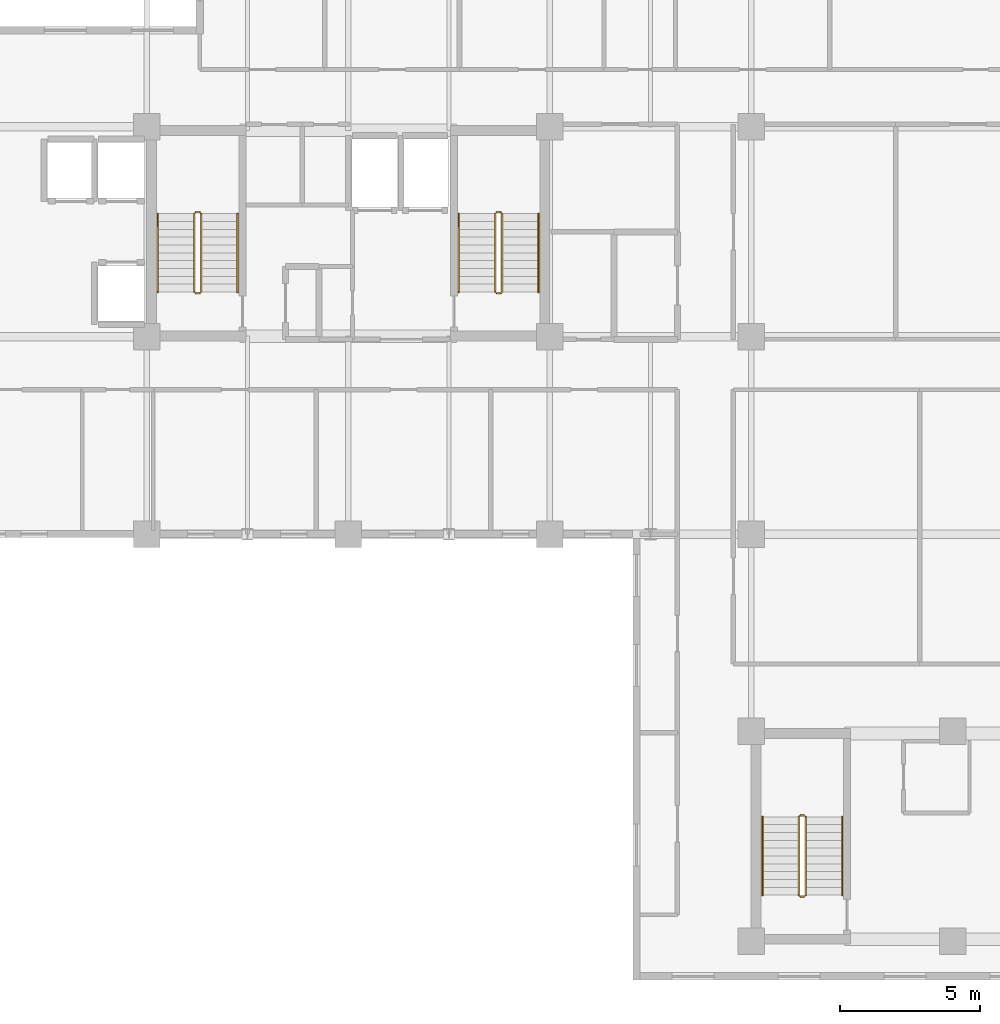
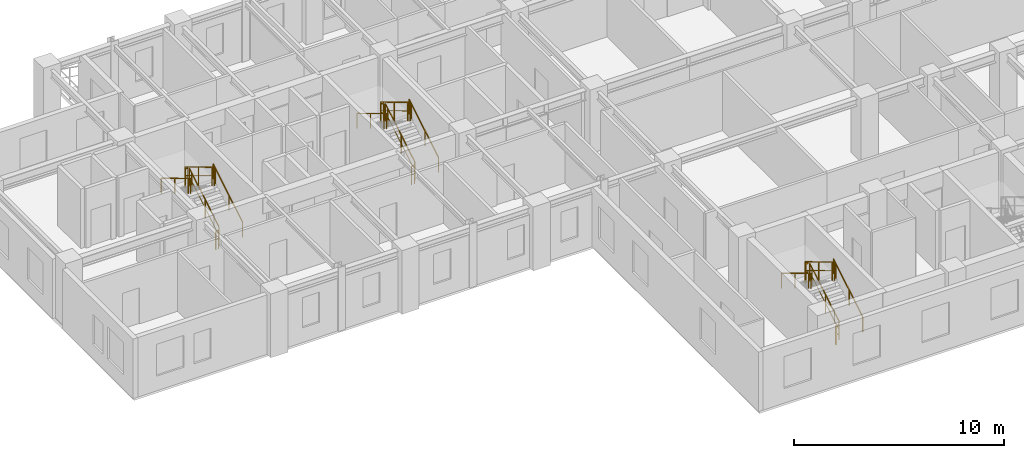
# One storey, part 11 of 13: 18 railings.
"""IFC4 building model written with IfcOpenShell, lengths in metres."""

from ifc_helpers import new_model, si_unit, direction, frame, origin, origin_2d, place, context, subcontext, project, spatial, rectangle, extrude, material, type_object, element, save


model = new_model("IFC4")

# Units and contexts
model_context = context("Model", 3, precision=1e-05, world=origin(), true_north=direction((0.0, 1.0)))
body_context = subcontext(model_context, "Body", "Model", "MODEL_VIEW")
ifc_project = project(units=[si_unit("LENGTHUNIT", "METRE"), si_unit("AREAUNIT", "SQUARE_METRE"), si_unit("VOLUMEUNIT", "CUBIC_METRE"), si_unit("PLANEANGLEUNIT", "RADIAN"), si_unit("MASSUNIT", "GRAM", prefix="KILO")], contexts=[model_context])

# Site, building, storey
site_placement = place(None, origin())
site = spatial("IfcSite", under=ifc_project, at=site_placement, CompositionType="ELEMENT")
building_placement = place(site_placement, origin())
building = spatial("IfcBuilding", under=site, at=building_placement, Name="Kaliganga Portal Commons", CompositionType="ELEMENT")
storey_placement = place(building_placement, frame((0.0, 0.0, 224.0)))
storey = spatial("IfcBuildingStorey", under=building, at=storey_placement, Name="L57", CompositionType="ELEMENT", Elevation=224.0)

# Railings
ifc_material_1 = material(Name="Galvanized Painted Steel Balustrade", Category="steel")
railing_type_1 = type_object("IfcRailingType", Name="RLG-STAIR-GRD", PredefinedType="GUARDRAIL", material=ifc_material_1)
railing_1_placement = place(storey_placement, frame((16.35009765625, 30.25, 0.168212890625)))
element("IfcRailing", 1, at=railing_1_placement, inside=storey, type_object=railing_type_1, Name="L57 ST-A1 stair guard 1", PredefinedType="GUARDRAIL", context=body_context, shape_type="SweptSolid", body=[
    extrude(rectangle(XDim=0.048095703125, YDim=0.048095703125, at=origin_2d()), frame((0.0, 0.0, 1.072021484375), z_axis=(0.0, 0.857242210791, 0.514913383045), x_axis=(-1.0, 0.0, 0.0)), (0.0, 0.0, 1.0), 3.266357421875),
    extrude(rectangle(XDim=0.028076171875, YDim=0.028076171875, at=origin_2d()), frame((0.0, 0.0, 0.572021484375), z_axis=(0.0, 0.857242210791, 0.514913383045), x_axis=(-1.0, 0.0, 0.0)), (0.0, 0.0, 1.0), 3.266357421875),
    extrude(rectangle(XDim=0.0419921875, YDim=0.0419921875, at=origin_2d()), origin(), (0.0, 0.0, 1.0), 1.052001953125),
    extrude(rectangle(XDim=0.0419921875, YDim=0.0419921875, at=origin_2d()), frame((0.0, 1.285888671875, 0.7724609375)), (0.0, 0.0, 1.0), 1.052001953125),
    extrude(rectangle(XDim=0.0419921875, YDim=0.0419921875, at=origin_2d()), frame((0.0, 2.57177734375, 1.544677734375)), (0.0, 0.0, 1.0), 1.052001953125),
    extrude(rectangle(XDim=0.0419921875, YDim=0.0419921875, at=origin_2d()), frame((0.0, 2.800048828125, 1.681884765625)), (0.0, 0.0, 1.0), 1.052001953125),
])
railing_2_placement = place(storey_placement, frame((16.300048828125, 33.10009765625, 1.85009765625)))
element("IfcRailing", 2, at=railing_2_placement, inside=storey, type_object=railing_type_1, Name="L57 ST-A1 stair guard 2", PredefinedType="GUARDRAIL", context=body_context, shape_type="SweptSolid", body=[
    extrude(rectangle(XDim=0.048095703125, YDim=0.048095703125, at=origin_2d()), frame((0.0, 0.0, 1.076171875), z_axis=(-1.0, 0.0, 0.0), x_axis=(0.0, -1.0, 0.0)), (0.0, 0.0, 1.0), 0.150146484375),
    extrude(rectangle(XDim=0.028076171875, YDim=0.028076171875, at=origin_2d()), frame((0.0, 0.0, 0.572021484375), z_axis=(-1.0, 0.0, 0.0), x_axis=(0.0, -1.0, 0.0)), (0.0, 0.0, 1.0), 0.150146484375),
    extrude(rectangle(XDim=0.0419921875, YDim=0.0419921875, at=origin_2d()), origin(), (0.0, 0.0, 1.0), 1.052001953125),
    extrude(rectangle(XDim=0.0419921875, YDim=0.0419921875, at=origin_2d()), frame((-0.150146484375, 0.0, 0.0)), (0.0, 0.0, 1.0), 1.052001953125),
])
railing_3_placement = place(storey_placement, frame((16.10009765625, 33.050048828125, 2.01806640625)))
element("IfcRailing", 3, at=railing_3_placement, inside=storey, type_object=railing_type_1, Name="L57 ST-A1 stair guard 3", PredefinedType="GUARDRAIL", context=body_context, shape_type="SweptSolid", body=[
    extrude(rectangle(XDim=0.048095703125, YDim=0.048095703125, at=origin_2d()), frame((0.0, 0.0, 1.072021484375), z_axis=(0.0, -0.857242210791, 0.514913383045), x_axis=(1.0, 0.0, 0.0)), (0.0, 0.0, 1.0), 3.266357421875),
    extrude(rectangle(XDim=0.028076171875, YDim=0.028076171875, at=origin_2d()), frame((0.0, 0.0, 0.572021484375), z_axis=(0.0, -0.857242210791, 0.514913383045), x_axis=(1.0, 0.0, 0.0)), (0.0, 0.0, 1.0), 3.266357421875),
    extrude(rectangle(XDim=0.0419921875, YDim=0.0419921875, at=origin_2d()), origin(), (0.0, 0.0, 1.0), 1.052001953125),
    extrude(rectangle(XDim=0.0419921875, YDim=0.0419921875, at=origin_2d()), frame((0.0, -1.285888671875, 0.7724609375)), (0.0, 0.0, 1.0), 1.052001953125),
    extrude(rectangle(XDim=0.0419921875, YDim=0.0419921875, at=origin_2d()), frame((0.0, -2.57177734375, 1.544677734375)), (0.0, 0.0, 1.0), 1.052001953125),
    extrude(rectangle(XDim=0.0419921875, YDim=0.0419921875, at=origin_2d()), frame((0.0, -2.800048828125, 1.681884765625)), (0.0, 0.0, 1.0), 1.052001953125),
])
railing_4_placement = place(storey_placement, frame((16.300048828125, 30.199951171875, 0.0)))
element("IfcRailing", 4, at=railing_4_placement, inside=storey, type_object=railing_type_1, Name="L57 ST-A1 stair guard 4", PredefinedType="GUARDRAIL", context=body_context, shape_type="SweptSolid", body=[
    extrude(rectangle(XDim=0.048095703125, YDim=0.048095703125, at=origin_2d()), frame((0.0, 0.0, 1.076171875), z_axis=(-1.0, 0.0, 0.0), x_axis=(0.0, -1.0, 0.0)), (0.0, 0.0, 1.0), 0.150146484375),
    extrude(rectangle(XDim=0.028076171875, YDim=0.028076171875, at=origin_2d()), frame((0.0, 0.0, 0.572021484375), z_axis=(-1.0, 0.0, 0.0), x_axis=(0.0, -1.0, 0.0)), (0.0, 0.0, 1.0), 0.150146484375),
    extrude(rectangle(XDim=0.0419921875, YDim=0.0419921875, at=origin_2d()), origin(), (0.0, 0.0, 1.0), 1.052001953125),
    extrude(rectangle(XDim=0.0419921875, YDim=0.0419921875, at=origin_2d()), frame((-0.150146484375, 0.0, 0.0)), (0.0, 0.0, 1.0), 1.052001953125),
])
railing_5_placement = place(storey_placement, frame((27.10009765625, 30.25, 0.168212890625)))
element("IfcRailing", 5, at=railing_5_placement, inside=storey, type_object=railing_type_1, Name="L57 ST-A2 stair guard 1", PredefinedType="GUARDRAIL", context=body_context, shape_type="SweptSolid", body=[
    extrude(rectangle(XDim=0.048095703125, YDim=0.048095703125, at=origin_2d()), frame((0.0, 0.0, 1.072021484375), z_axis=(0.0, 0.857242210791, 0.514913383045), x_axis=(-1.0, 0.0, 0.0)), (0.0, 0.0, 1.0), 3.266357421875),
    extrude(rectangle(XDim=0.028076171875, YDim=0.028076171875, at=origin_2d()), frame((0.0, 0.0, 0.572021484375), z_axis=(0.0, 0.857242210791, 0.514913383045), x_axis=(-1.0, 0.0, 0.0)), (0.0, 0.0, 1.0), 3.266357421875),
    extrude(rectangle(XDim=0.0419921875, YDim=0.0419921875, at=origin_2d()), origin(), (0.0, 0.0, 1.0), 1.052001953125),
    extrude(rectangle(XDim=0.0419921875, YDim=0.0419921875, at=origin_2d()), frame((0.0, 1.285888671875, 0.7724609375)), (0.0, 0.0, 1.0), 1.052001953125),
    extrude(rectangle(XDim=0.0419921875, YDim=0.0419921875, at=origin_2d()), frame((0.0, 2.57177734375, 1.544677734375)), (0.0, 0.0, 1.0), 1.052001953125),
    extrude(rectangle(XDim=0.0419921875, YDim=0.0419921875, at=origin_2d()), frame((0.0, 2.800048828125, 1.681884765625)), (0.0, 0.0, 1.0), 1.052001953125),
])
railing_6_placement = place(storey_placement, frame((27.050048828125, 33.10009765625, 1.85009765625)))
element("IfcRailing", 6, at=railing_6_placement, inside=storey, type_object=railing_type_1, Name="L57 ST-A2 stair guard 2", PredefinedType="GUARDRAIL", context=body_context, shape_type="SweptSolid", body=[
    extrude(rectangle(XDim=0.048095703125, YDim=0.048095703125, at=origin_2d()), frame((0.0, 0.0, 1.076171875), z_axis=(-1.0, 0.0, 0.0), x_axis=(0.0, -1.0, 0.0)), (0.0, 0.0, 1.0), 0.150146484375),
    extrude(rectangle(XDim=0.028076171875, YDim=0.028076171875, at=origin_2d()), frame((0.0, 0.0, 0.572021484375), z_axis=(-1.0, 0.0, 0.0), x_axis=(0.0, -1.0, 0.0)), (0.0, 0.0, 1.0), 0.150146484375),
    extrude(rectangle(XDim=0.0419921875, YDim=0.0419921875, at=origin_2d()), origin(), (0.0, 0.0, 1.0), 1.052001953125),
    extrude(rectangle(XDim=0.0419921875, YDim=0.0419921875, at=origin_2d()), frame((-0.150146484375, 0.0, 0.0)), (0.0, 0.0, 1.0), 1.052001953125),
])
railing_7_placement = place(storey_placement, frame((26.85009765625, 33.050048828125, 2.01806640625)))
element("IfcRailing", 7, at=railing_7_placement, inside=storey, type_object=railing_type_1, Name="L57 ST-A2 stair guard 3", PredefinedType="GUARDRAIL", context=body_context, shape_type="SweptSolid", body=[
    extrude(rectangle(XDim=0.048095703125, YDim=0.048095703125, at=origin_2d()), frame((0.0, 0.0, 1.072021484375), z_axis=(0.0, -0.857242210791, 0.514913383045), x_axis=(1.0, 0.0, 0.0)), (0.0, 0.0, 1.0), 3.266357421875),
    extrude(rectangle(XDim=0.028076171875, YDim=0.028076171875, at=origin_2d()), frame((0.0, 0.0, 0.572021484375), z_axis=(0.0, -0.857242210791, 0.514913383045), x_axis=(1.0, 0.0, 0.0)), (0.0, 0.0, 1.0), 3.266357421875),
    extrude(rectangle(XDim=0.0419921875, YDim=0.0419921875, at=origin_2d()), origin(), (0.0, 0.0, 1.0), 1.052001953125),
    extrude(rectangle(XDim=0.0419921875, YDim=0.0419921875, at=origin_2d()), frame((0.0, -1.285888671875, 0.7724609375)), (0.0, 0.0, 1.0), 1.052001953125),
    extrude(rectangle(XDim=0.0419921875, YDim=0.0419921875, at=origin_2d()), frame((0.0, -2.57177734375, 1.544677734375)), (0.0, 0.0, 1.0), 1.052001953125),
    extrude(rectangle(XDim=0.0419921875, YDim=0.0419921875, at=origin_2d()), frame((0.0, -2.800048828125, 1.681884765625)), (0.0, 0.0, 1.0), 1.052001953125),
])
railing_8_placement = place(storey_placement, frame((27.050048828125, 30.199951171875, 0.0)))
element("IfcRailing", 8, at=railing_8_placement, inside=storey, type_object=railing_type_1, Name="L57 ST-A2 stair guard 4", PredefinedType="GUARDRAIL", context=body_context, shape_type="SweptSolid", body=[
    extrude(rectangle(XDim=0.048095703125, YDim=0.048095703125, at=origin_2d()), frame((0.0, 0.0, 1.076171875), z_axis=(-1.0, 0.0, 0.0), x_axis=(0.0, -1.0, 0.0)), (0.0, 0.0, 1.0), 0.150146484375),
    extrude(rectangle(XDim=0.028076171875, YDim=0.028076171875, at=origin_2d()), frame((0.0, 0.0, 0.572021484375), z_axis=(-1.0, 0.0, 0.0), x_axis=(0.0, -1.0, 0.0)), (0.0, 0.0, 1.0), 0.150146484375),
    extrude(rectangle(XDim=0.0419921875, YDim=0.0419921875, at=origin_2d()), origin(), (0.0, 0.0, 1.0), 1.052001953125),
    extrude(rectangle(XDim=0.0419921875, YDim=0.0419921875, at=origin_2d()), frame((-0.150146484375, 0.0, 0.0)), (0.0, 0.0, 1.0), 1.052001953125),
])
railing_9_placement = place(storey_placement, frame((37.949951171875, 8.699951171875, 0.168212890625)))
element("IfcRailing", 9, at=railing_9_placement, inside=storey, type_object=railing_type_1, Name="L57 ST-B1 stair guard 1", PredefinedType="GUARDRAIL", context=body_context, shape_type="SweptSolid", body=[
    extrude(rectangle(XDim=0.048095703125, YDim=0.048095703125, at=origin_2d()), frame((0.0, 0.0, 1.072021484375), z_axis=(0.0, 0.857242210791, 0.514913383045), x_axis=(-1.0, 0.0, 0.0)), (0.0, 0.0, 1.0), 3.266357421875),
    extrude(rectangle(XDim=0.028076171875, YDim=0.028076171875, at=origin_2d()), frame((0.0, 0.0, 0.572021484375), z_axis=(0.0, 0.857242210791, 0.514913383045), x_axis=(-1.0, 0.0, 0.0)), (0.0, 0.0, 1.0), 3.266357421875),
    extrude(rectangle(XDim=0.0419921875, YDim=0.0419921875, at=origin_2d()), origin(), (0.0, 0.0, 1.0), 1.052001953125),
    extrude(rectangle(XDim=0.0419921875, YDim=0.0419921875, at=origin_2d()), frame((0.0, 1.285888671875, 0.7724609375)), (0.0, 0.0, 1.0), 1.052001953125),
    extrude(rectangle(XDim=0.0419921875, YDim=0.0419921875, at=origin_2d()), frame((0.0, 2.57177734375, 1.544677734375)), (0.0, 0.0, 1.0), 1.052001953125),
    extrude(rectangle(XDim=0.0419921875, YDim=0.0419921875, at=origin_2d()), frame((0.0, 2.800048828125, 1.681884765625)), (0.0, 0.0, 1.0), 1.052001953125),
])
railing_10_placement = place(storey_placement, frame((37.89990234375, 11.550048828125, 1.85009765625)))
element("IfcRailing", 10, at=railing_10_placement, inside=storey, type_object=railing_type_1, Name="L57 ST-B1 stair guard 2", PredefinedType="GUARDRAIL", context=body_context, shape_type="SweptSolid", body=[
    extrude(rectangle(XDim=0.048095703125, YDim=0.048095703125, at=origin_2d()), frame((0.0, 0.0, 1.076171875), z_axis=(-1.0, 0.0, 0.0), x_axis=(0.0, -1.0, 0.0)), (0.0, 0.0, 1.0), 0.14990234375),
    extrude(rectangle(XDim=0.028076171875, YDim=0.028076171875, at=origin_2d()), frame((0.0, 0.0, 0.572021484375), z_axis=(-1.0, 0.0, 0.0), x_axis=(0.0, -1.0, 0.0)), (0.0, 0.0, 1.0), 0.14990234375),
    extrude(rectangle(XDim=0.0419921875, YDim=0.0419921875, at=origin_2d()), frame((-0.14990234375, 0.0, 0.0)), (0.0, 0.0, 1.0), 1.052001953125),
])
railing_11_placement = place(storey_placement, frame((37.699951171875, 11.5, 2.01806640625)))
element("IfcRailing", 11, at=railing_11_placement, inside=storey, type_object=railing_type_1, Name="L57 ST-B1 stair guard 3", PredefinedType="GUARDRAIL", context=body_context, shape_type="SweptSolid", body=[
    extrude(rectangle(XDim=0.048095703125, YDim=0.048095703125, at=origin_2d()), frame((0.0, 0.0, 1.072021484375), z_axis=(0.0, -0.857242210791, 0.514913383045), x_axis=(1.0, 0.0, 0.0)), (0.0, 0.0, 1.0), 3.266357421875),
    extrude(rectangle(XDim=0.028076171875, YDim=0.028076171875, at=origin_2d()), frame((0.0, 0.0, 0.572021484375), z_axis=(0.0, -0.857242210791, 0.514913383045), x_axis=(1.0, 0.0, 0.0)), (0.0, 0.0, 1.0), 3.266357421875),
    extrude(rectangle(XDim=0.0419921875, YDim=0.0419921875, at=origin_2d()), origin(), (0.0, 0.0, 1.0), 1.052001953125),
    extrude(rectangle(XDim=0.0419921875, YDim=0.0419921875, at=origin_2d()), frame((0.0, -1.285888671875, 0.7724609375)), (0.0, 0.0, 1.0), 1.052001953125),
    extrude(rectangle(XDim=0.0419921875, YDim=0.0419921875, at=origin_2d()), frame((0.0, -2.57177734375, 1.544677734375)), (0.0, 0.0, 1.0), 1.052001953125),
    extrude(rectangle(XDim=0.0419921875, YDim=0.0419921875, at=origin_2d()), frame((0.0, -2.800048828125, 1.681884765625)), (0.0, 0.0, 1.0), 1.052001953125),
])
railing_12_placement = place(storey_placement, frame((37.89990234375, 8.64990234375, 0.0)))
element("IfcRailing", 12, at=railing_12_placement, inside=storey, type_object=railing_type_1, Name="L57 ST-B1 stair guard 4", PredefinedType="GUARDRAIL", context=body_context, shape_type="SweptSolid", body=[
    extrude(rectangle(XDim=0.048095703125, YDim=0.048095703125, at=origin_2d()), frame((0.0, 0.0, 1.076171875), z_axis=(-1.0, 0.0, 0.0), x_axis=(0.0, -1.0, 0.0)), (0.0, 0.0, 1.0), 0.14990234375),
    extrude(rectangle(XDim=0.028076171875, YDim=0.028076171875, at=origin_2d()), frame((0.0, 0.0, 0.572021484375), z_axis=(-1.0, 0.0, 0.0), x_axis=(0.0, -1.0, 0.0)), (0.0, 0.0, 1.0), 0.14990234375),
    extrude(rectangle(XDim=0.0419921875, YDim=0.0419921875, at=origin_2d()), frame((-0.14990234375, 0.0, 0.0)), (0.0, 0.0, 1.0), 1.052001953125),
])
ifc_material_2 = material(Name="Brushed Stainless Steel 316", Category="steel")
railing_type_2 = type_object("IfcRailingType", Name="RLG-STAIR-HR", PredefinedType="HANDRAIL", material=ifc_material_2)
railing_13_placement = place(storey_placement, frame((17.64990234375, 30.25, 0.168212890625)))
element("IfcRailing", 13, at=railing_13_placement, inside=storey, type_object=railing_type_2, Name="L57 ST-A1 stair handrail 1", PredefinedType="HANDRAIL", context=body_context, shape_type="SweptSolid", body=[
    extrude(rectangle(XDim=0.048095703125, YDim=0.048095703125, at=origin_2d()), frame((0.0, 0.0, 0.871826171875), z_axis=(0.0, 0.857242210791, 0.514913383045), x_axis=(-1.0, 0.0, 0.0)), (0.0, 0.0, 1.0), 3.266357421875),
    extrude(rectangle(XDim=0.0419921875, YDim=0.0419921875, at=origin_2d()), origin(), (0.0, 0.0, 1.0), 0.851806640625),
    extrude(rectangle(XDim=0.0419921875, YDim=0.0419921875, at=origin_2d()), frame((0.0, 1.285888671875, 0.7724609375)), (0.0, 0.0, 1.0), 0.851806640625),
    extrude(rectangle(XDim=0.0419921875, YDim=0.0419921875, at=origin_2d()), frame((0.0, 2.57177734375, 1.544677734375)), (0.0, 0.0, 1.0), 0.851806640625),
    extrude(rectangle(XDim=0.0419921875, YDim=0.0419921875, at=origin_2d()), frame((0.0, 2.800048828125, 1.681884765625)), (0.0, 0.0, 1.0), 0.851806640625),
])
railing_14_placement = place(storey_placement, frame((14.800048828125, 33.050048828125, 2.01806640625)))
element("IfcRailing", 14, at=railing_14_placement, inside=storey, type_object=railing_type_2, Name="L57 ST-A1 stair handrail 2", PredefinedType="HANDRAIL", context=body_context, shape_type="SweptSolid", body=[
    extrude(rectangle(XDim=0.048095703125, YDim=0.048095703125, at=origin_2d()), frame((0.0, 0.0, 0.871826171875), z_axis=(0.0, -0.857242210791, 0.514913383045), x_axis=(1.0, 0.0, 0.0)), (0.0, 0.0, 1.0), 3.266357421875),
    extrude(rectangle(XDim=0.0419921875, YDim=0.0419921875, at=origin_2d()), origin(), (0.0, 0.0, 1.0), 0.851806640625),
    extrude(rectangle(XDim=0.0419921875, YDim=0.0419921875, at=origin_2d()), frame((0.0, -1.285888671875, 0.7724609375)), (0.0, 0.0, 1.0), 0.851806640625),
    extrude(rectangle(XDim=0.0419921875, YDim=0.0419921875, at=origin_2d()), frame((0.0, -2.57177734375, 1.544677734375)), (0.0, 0.0, 1.0), 0.851806640625),
    extrude(rectangle(XDim=0.0419921875, YDim=0.0419921875, at=origin_2d()), frame((0.0, -2.800048828125, 1.681884765625)), (0.0, 0.0, 1.0), 0.851806640625),
])
railing_15_placement = place(storey_placement, frame((28.39990234375, 30.25, 0.168212890625)))
element("IfcRailing", 15, at=railing_15_placement, inside=storey, type_object=railing_type_2, Name="L57 ST-A2 stair handrail 1", PredefinedType="HANDRAIL", context=body_context, shape_type="SweptSolid", body=[
    extrude(rectangle(XDim=0.048095703125, YDim=0.048095703125, at=origin_2d()), frame((0.0, 0.0, 0.871826171875), z_axis=(0.0, 0.857242210791, 0.514913383045), x_axis=(-1.0, 0.0, 0.0)), (0.0, 0.0, 1.0), 3.266357421875),
    extrude(rectangle(XDim=0.0419921875, YDim=0.0419921875, at=origin_2d()), origin(), (0.0, 0.0, 1.0), 0.851806640625),
    extrude(rectangle(XDim=0.0419921875, YDim=0.0419921875, at=origin_2d()), frame((0.0, 1.285888671875, 0.7724609375)), (0.0, 0.0, 1.0), 0.851806640625),
    extrude(rectangle(XDim=0.0419921875, YDim=0.0419921875, at=origin_2d()), frame((0.0, 2.57177734375, 1.544677734375)), (0.0, 0.0, 1.0), 0.851806640625),
    extrude(rectangle(XDim=0.0419921875, YDim=0.0419921875, at=origin_2d()), frame((0.0, 2.800048828125, 1.681884765625)), (0.0, 0.0, 1.0), 0.851806640625),
])
railing_16_placement = place(storey_placement, frame((25.550048828125, 33.050048828125, 2.01806640625)))
element("IfcRailing", 16, at=railing_16_placement, inside=storey, type_object=railing_type_2, Name="L57 ST-A2 stair handrail 2", PredefinedType="HANDRAIL", context=body_context, shape_type="SweptSolid", body=[
    extrude(rectangle(XDim=0.048095703125, YDim=0.048095703125, at=origin_2d()), frame((0.0, 0.0, 0.871826171875), z_axis=(0.0, -0.857242210791, 0.514913383045), x_axis=(1.0, 0.0, 0.0)), (0.0, 0.0, 1.0), 3.266357421875),
    extrude(rectangle(XDim=0.0419921875, YDim=0.0419921875, at=origin_2d()), origin(), (0.0, 0.0, 1.0), 0.851806640625),
    extrude(rectangle(XDim=0.0419921875, YDim=0.0419921875, at=origin_2d()), frame((0.0, -1.285888671875, 0.7724609375)), (0.0, 0.0, 1.0), 0.851806640625),
    extrude(rectangle(XDim=0.0419921875, YDim=0.0419921875, at=origin_2d()), frame((0.0, -2.57177734375, 1.544677734375)), (0.0, 0.0, 1.0), 0.851806640625),
    extrude(rectangle(XDim=0.0419921875, YDim=0.0419921875, at=origin_2d()), frame((0.0, -2.800048828125, 1.681884765625)), (0.0, 0.0, 1.0), 0.851806640625),
])
railing_17_placement = place(storey_placement, frame((39.25, 8.699951171875, 0.168212890625)))
element("IfcRailing", 17, at=railing_17_placement, inside=storey, type_object=railing_type_2, Name="L57 ST-B1 stair handrail 1", PredefinedType="HANDRAIL", context=body_context, shape_type="SweptSolid", body=[
    extrude(rectangle(XDim=0.048095703125, YDim=0.048095703125, at=origin_2d()), frame((0.0, 0.0, 0.871826171875), z_axis=(0.0, 0.857242210791, 0.514913383045), x_axis=(-1.0, 0.0, 0.0)), (0.0, 0.0, 1.0), 3.266357421875),
    extrude(rectangle(XDim=0.0419921875, YDim=0.0419921875, at=origin_2d()), origin(), (0.0, 0.0, 1.0), 0.851806640625),
    extrude(rectangle(XDim=0.0419921875, YDim=0.0419921875, at=origin_2d()), frame((0.0, 1.285888671875, 0.7724609375)), (0.0, 0.0, 1.0), 0.851806640625),
    extrude(rectangle(XDim=0.0419921875, YDim=0.0419921875, at=origin_2d()), frame((0.0, 2.57177734375, 1.544677734375)), (0.0, 0.0, 1.0), 0.851806640625),
    extrude(rectangle(XDim=0.0419921875, YDim=0.0419921875, at=origin_2d()), frame((0.0, 2.800048828125, 1.681884765625)), (0.0, 0.0, 1.0), 0.851806640625),
])
railing_18_placement = place(storey_placement, frame((36.39990234375, 11.5, 2.01806640625)))
element("IfcRailing", 18, at=railing_18_placement, inside=storey, type_object=railing_type_2, Name="L57 ST-B1 stair handrail 2", PredefinedType="HANDRAIL", context=body_context, shape_type="SweptSolid", body=[
    extrude(rectangle(XDim=0.048095703125, YDim=0.048095703125, at=origin_2d()), frame((0.0, 0.0, 0.871826171875), z_axis=(0.0, -0.857242210791, 0.514913383045), x_axis=(1.0, 0.0, 0.0)), (0.0, 0.0, 1.0), 3.266357421875),
    extrude(rectangle(XDim=0.0419921875, YDim=0.0419921875, at=origin_2d()), origin(), (0.0, 0.0, 1.0), 0.851806640625),
    extrude(rectangle(XDim=0.0419921875, YDim=0.0419921875, at=origin_2d()), frame((0.0, -1.285888671875, 0.7724609375)), (0.0, 0.0, 1.0), 0.851806640625),
    extrude(rectangle(XDim=0.0419921875, YDim=0.0419921875, at=origin_2d()), frame((0.0, -2.57177734375, 1.544677734375)), (0.0, 0.0, 1.0), 0.851806640625),
    extrude(rectangle(XDim=0.0419921875, YDim=0.0419921875, at=origin_2d()), frame((0.0, -2.800048828125, 1.681884765625)), (0.0, 0.0, 1.0), 0.851806640625),
])

save(model, "model.ifc")
